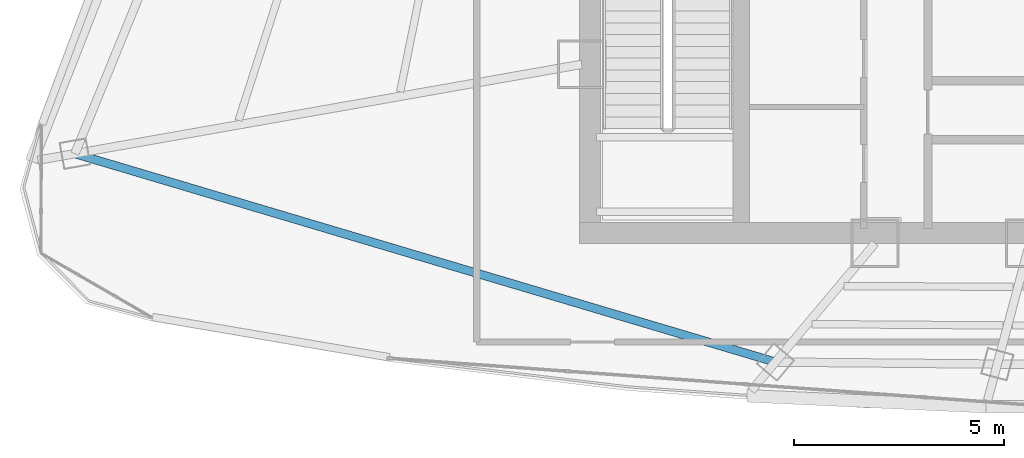
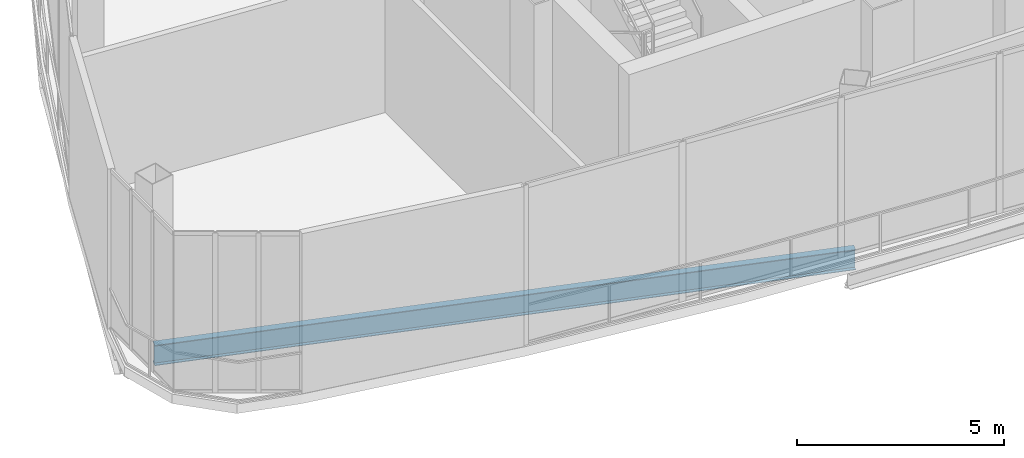
# One storey, part 4 of 33: 1 beam.
"""IFC4 building model written with IfcOpenShell, lengths in metres."""

import ifcopenshell
import ifcopenshell.guid

model = None  # the IFC model being written
_history = None  # IfcOwnerHistory: only IFC2X3 demands one
_inside = {}  # id of a spatial element -> (the spatial element, [elements in it])
_under = {}  # id of a project, library or spatial element -> (it, [spatial elements below it])
_declared = {}  # id of a project -> (the project, [libraries it declares])
_typed = {}  # id of a type object -> (the type object, [elements of that type])
_made_of = {}  # id of a material, layer set ... -> (it, [elements and type objects made of it])


def new_model(schema):
    """Start an empty IFC model of exactly this schema.

    Asked for "IFC4X3", IfcOpenShell would pick the latest addendum, in which some entities
    have other attributes; the version numbers below select the first issue.
    IFC2X3 requires an IfcOwnerHistory on every rooted entity: one is made here for all.
    """
    global model, _history
    if schema == "IFC4X3":
        model = ifcopenshell.file(schema_version=(4, 3, 0, 0))
    else:
        model = ifcopenshell.file(schema=schema)
    _inside.clear()
    _under.clear()
    _declared.clear()
    _typed.clear()
    _made_of.clear()
    _history = None
    if model.schema == "IFC2X3":
        org = make("IfcOrganization", Name="unknown")
        user = make(
            "IfcPersonAndOrganization",
            ThePerson=make("IfcPerson", FamilyName="unknown"),
            TheOrganization=org,
        )
        app = make(
            "IfcApplication",
            ApplicationDeveloper=org,
            Version="unknown",
            ApplicationFullName="unknown",
            ApplicationIdentifier="unknown",
        )
        _history = make(
            "IfcOwnerHistory",
            OwningUser=user,
            OwningApplication=app,
            ChangeAction="ADDED",
            CreationDate=0,
        )
    return model


def make(cls, **values):
    """One entity of the class cls with the attributes given. An attribute that is None is left unset."""
    return model.create_entity(
        cls, **{name: value for name, value in values.items() if value is not None}
    )


def rooted(cls, **values):
    """An entity with a GlobalId (a new one), such as an element, a storey or a relation."""
    return make(cls, GlobalId=ifcopenshell.guid.new(), OwnerHistory=_history, **values)


def si_unit(unit_type, name, prefix=None):
    """IfcSIUnit, for example si_unit("LENGTHUNIT", "METRE", prefix="MILLI")."""
    return make("IfcSIUnit", UnitType=unit_type, Prefix=prefix, Name=name)


def assignment(units):
    """IfcUnitAssignment: the units of a project."""
    return None if units is None else make("IfcUnitAssignment", Units=units)


def point(xyz):
    """IfcCartesianPoint."""
    return None if xyz is None else make("IfcCartesianPoint", Coordinates=xyz)


def direction(xyz):
    """IfcDirection."""
    return None if xyz is None else make("IfcDirection", DirectionRatios=xyz)


def frame(location, z_axis=None, x_axis=None):
    """IfcAxis2Placement3D, a coordinate frame: its origin and axes. An axis left out is left unset."""
    return make(
        "IfcAxis2Placement3D",
        Location=point(location),
        Axis=direction(z_axis),
        RefDirection=direction(x_axis),
    )


def frame_2d(location, x_axis=None):
    """IfcAxis2Placement2D, a coordinate frame in the plane: its origin and x axis."""
    return make(
        "IfcAxis2Placement2D", Location=point(location), RefDirection=direction(x_axis)
    )


def origin():
    """The frame at (0, 0, 0) with its axes left unset."""
    return frame((0.0, 0.0, 0.0))


def origin_2d():
    """The frame at (0, 0) in the plane with its x axis left unset."""
    return frame_2d((0.0, 0.0))


def place(relative_to, where):
    """IfcLocalPlacement: puts the frame where relative to a parent placement (None: the world)."""
    return make(
        "IfcLocalPlacement", PlacementRelTo=relative_to, RelativePlacement=where
    )


def context(
    kind, dimensions, precision=None, world=None, true_north=None, identifier=None
):
    """IfcGeometricRepresentationContext, for example the 3D "Model" context."""
    return make(
        "IfcGeometricRepresentationContext",
        ContextIdentifier=identifier,
        ContextType=kind,
        CoordinateSpaceDimension=dimensions,
        Precision=precision,
        WorldCoordinateSystem=world,
        TrueNorth=true_north,
    )


def subcontext(parent, identifier, kind, view, scale=None):
    """IfcGeometricRepresentationSubContext, for example "Body" below "Model"."""
    return make(
        "IfcGeometricRepresentationSubContext",
        ContextIdentifier=identifier,
        ContextType=kind,
        ParentContext=parent,
        TargetScale=scale,
        TargetView=view,
    )


def project(units=None, contexts=None):
    """IfcProject with its units and contexts."""
    return rooted(
        "IfcProject",
        Name="project",
        RepresentationContexts=contexts,
        UnitsInContext=assignment(units),
    )


def spatial(cls, under=None, at=None, **own):
    """A site, building, storey or space (cls), placed at a placement, below another one or the project."""
    s = rooted(cls, ObjectPlacement=at, **own)
    if under is not None:
        _under.setdefault(under.id(), (under, []))[1].append(s)
    return s


def profile(cls, at=None, kind="AREA", **sizes):
    """A parametric profile (cls). Its sizes go by their IFC names, for example OverallWidth=200.0."""
    return make(cls, ProfileType=kind, Position=at, **sizes)


def i_section(**sizes):
    """IfcIShapeProfileDef."""
    return profile("IfcIShapeProfileDef", **sizes)


def extrude(swept, where, along, depth):
    """IfcExtrudedAreaSolid: the profile swept, set in the frame where, extruded along a direction by depth."""
    return make(
        "IfcExtrudedAreaSolid",
        SweptArea=swept,
        Position=where,
        ExtrudedDirection=direction(along),
        Depth=depth,
    )


def shape(context_of_items, identifier, shape_type, items):
    """IfcShapeRepresentation: the items that make up one representation, for example the "Body"."""
    return make(
        "IfcShapeRepresentation",
        ContextOfItems=context_of_items,
        RepresentationIdentifier=identifier,
        RepresentationType=shape_type,
        Items=items,
    )


def source(mapping_origin, context_of_items, identifier, shape_type, items):
    """IfcRepresentationMap: a shape defined once, which mapped items show again and again."""
    return make(
        "IfcRepresentationMap",
        MappingOrigin=mapping_origin,
        MappedRepresentation=shape(context_of_items, identifier, shape_type, items),
    )


def transform(
    local_origin,
    x_axis=None,
    y_axis=None,
    z_axis=None,
    scale=None,
    scale2=None,
    scale3=None,
    uniform=True,
):
    """IfcCartesianTransformationOperator3D, or its non-uniform kind. x_axis, y_axis, z_axis: its Axis1, 2, 3."""
    if uniform:
        return make(
            "IfcCartesianTransformationOperator3D",
            Axis1=direction(x_axis),
            Axis2=direction(y_axis),
            LocalOrigin=point(local_origin),
            Scale=scale,
            Axis3=direction(z_axis),
        )
    return make(
        "IfcCartesianTransformationOperator3DnonUniform",
        Axis1=direction(x_axis),
        Axis2=direction(y_axis),
        LocalOrigin=point(local_origin),
        Scale=scale,
        Axis3=direction(z_axis),
        Scale2=scale2,
        Scale3=scale3,
    )


def mapped(mapping_source, mapping_target):
    """IfcMappedItem: shows the shape of a source again, moved by a transform."""
    return make(
        "IfcMappedItem", MappingSource=mapping_source, MappingTarget=mapping_target
    )


def material(Name=None, Category=None):
    """IfcMaterial."""
    return make("IfcMaterial", Name=Name, Category=Category)


def material_profile(
    of_material, cross_section, Name=None, Category=None, Priority=None
):
    """IfcMaterialProfile: a cross section and its material."""
    return make(
        "IfcMaterialProfile",
        Name=Name,
        Material=of_material,
        Profile=cross_section,
        Priority=Priority,
        Category=Category,
    )


def profile_set(profiles, Name=None, composite=None):
    """IfcMaterialProfileSet."""
    return make(
        "IfcMaterialProfileSet",
        Name=Name,
        MaterialProfiles=profiles,
        CompositeProfile=composite,
    )


def made_of(thing, what):
    """Note that an element or type object is made of a material, layer set ...; save() writes the relation."""
    if what is not None:
        _made_of.setdefault(what.id(), (what, []))[1].append(thing)
    return thing


def type_object(cls, material=None, **own):
    """A type object (cls), such as IfcWallType, which elements share."""
    return made_of(rooted(cls, **own), material)


def element(
    cls,
    number,
    at=None,
    inside=None,
    cuts=None,
    type_object=None,
    material=None,
    context=None,
    identifier="Body",
    shape_type=None,
    held_by="IfcProductDefinitionShape",
    body=None,
    shapes=None,
    **own,
):
    """One element of the class cls, such as IfcWall. Its Tag is "e" and its number.

    at: its placement. inside: the storey or other place that contains it. cuts: it is an
    opening in that element (IfcRelVoidsElement). A single representation is given by context,
    identifier, shape_type and body (its items); several are given by shapes. held_by: the class
    of the entity that holds the representations. save() writes the other relations.
    """
    e = rooted(cls, Tag="e%d" % number, ObjectPlacement=at, **own)
    if body is not None:
        shapes = [shape(context, identifier, shape_type, body)]
    if shapes is not None:
        e.Representation = make(held_by, Representations=shapes)
    if inside is not None:
        _inside.setdefault(inside.id(), (inside, []))[1].append(e)
    if cuts is not None:
        rooted(
            "IfcRelVoidsElement", RelatingBuildingElement=cuts, RelatedOpeningElement=e
        )
    if type_object is not None:
        _typed.setdefault(type_object.id(), (type_object, []))[1].append(e)
    return made_of(e, material)


def aggregate(whole, parts):
    """IfcRelAggregates: a whole, such as a stair, and the parts it consists of."""
    return rooted("IfcRelAggregates", RelatingObject=whole, RelatedObjects=parts)


def save(model, path):
    """Write the relations noted so far, then the file.

    IfcRelAggregates (storeys below a building ...), IfcRelContainedInSpatialStructure (elements
    in a storey), IfcRelDefinesByType, IfcRelAssociatesMaterial and IfcRelDeclares: one each for
    every whole, place, type object, material and project.
    """
    for whole, parts in _under.values():
        aggregate(whole, parts)
    for where, things in _inside.values():
        rooted(
            "IfcRelContainedInSpatialStructure",
            RelatedElements=things,
            RelatingStructure=where,
        )
    for kind, things in _typed.values():
        rooted("IfcRelDefinesByType", RelatedObjects=things, RelatingType=kind)
    for what, things in _made_of.values():
        rooted("IfcRelAssociatesMaterial", RelatedObjects=things, RelatingMaterial=what)
    for by, libraries in _declared.values():
        rooted("IfcRelDeclares", RelatingContext=by, RelatedDefinitions=libraries)
    model.write(path)


model = new_model("IFC4")

# Units and contexts
model_context = context("Model", 3, precision=1e-05, world=origin(), true_north=direction((0.0, 1.0)))
body_context = subcontext(model_context, "Body", "Model", "MODEL_VIEW")
ifc_project = project(units=[si_unit("LENGTHUNIT", "METRE"), si_unit("AREAUNIT", "SQUARE_METRE"), si_unit("VOLUMEUNIT", "CUBIC_METRE"), si_unit("PLANEANGLEUNIT", "RADIAN"), si_unit("MASSUNIT", "GRAM", prefix="KILO"), si_unit("THERMODYNAMICTEMPERATUREUNIT", "KELVIN"), si_unit("POWERUNIT", "WATT")], contexts=[model_context])

# Site, building, storey
site_placement = place(None, origin())
site = spatial("IfcSite", under=ifc_project, at=site_placement, CompositionType="ELEMENT")
building_placement = place(site_placement, origin())
building = spatial("IfcBuilding", under=site, at=building_placement, Name="Yunzhuo Pagoda Commons", CompositionType="ELEMENT")
storey_placement = place(building_placement, frame((0.0, 0.0, 386.760009765625)))
storey = spatial("IfcBuildingStorey", under=building, at=storey_placement, Name="L96", CompositionType="ELEMENT", Elevation=386.760009765625)

# Beam
ifc_material = material(Name="Structural steel Q355B", Category="steel")
ifc_material_profile = material_profile(ifc_material, i_section(OverallWidth=0.199951171875, OverallDepth=0.60009765625, WebThickness=0.010986328125, FlangeThickness=0.01708984375, at=origin_2d()), Name="Structural steel Q355B")
ifc_profile_set = profile_set([ifc_material_profile], Name="Structural steel Q355B")
beam_type = type_object("IfcBeamType", Name="B-RG3 Beam HN 600x200x11x17", PredefinedType="BEAM", material=ifc_profile_set)
shared_shape = source(origin(), body_context, "Body", "SweptSolid", [
    extrude(i_section(OverallWidth=0.199951171875, OverallDepth=0.60009765625, WebThickness=0.010986328125, FlangeThickness=0.01708984375, at=origin_2d()), origin(), (0.0, 0.0, 1.0), 17.407470703125),
])
beam_placement = place(storey_placement, frame((23.52978515625, 29.38525390625, -0.580078125), z_axis=(0.958484984609, -0.285143006717, 0.0), x_axis=(0.285143006717, 0.958484984609, 0.0)))
element("IfcBeam", 1, at=beam_placement, inside=storey, type_object=beam_type, Name="L96 column-ring beam 12", PredefinedType="BEAM", context=body_context, shape_type="MappedRepresentation", body=[
    mapped(shared_shape, transform((0.0, 0.0, 0.0), scale=1.0)),
])

save(model, "model.ifc")
